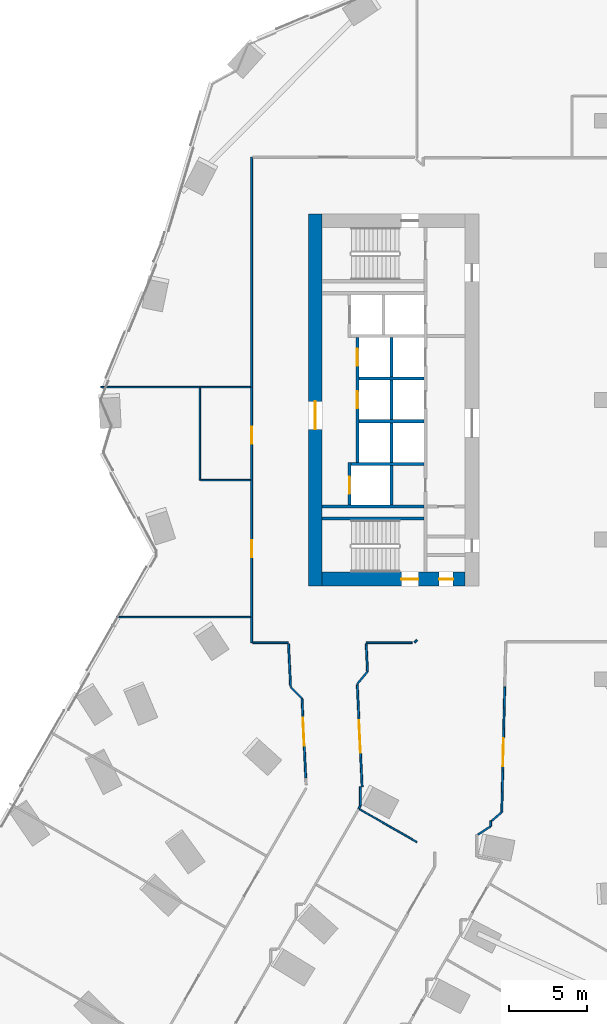
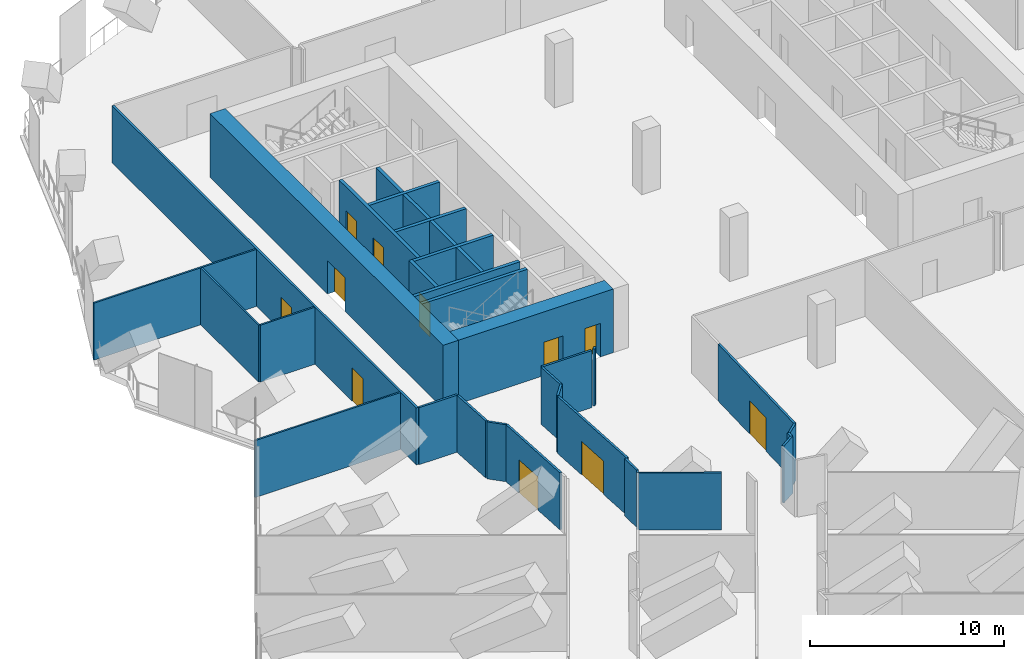
# One storey, part 28 of 37: 34 walls, 11 doors, 11 openings.
"""IFC4 building model written with IfcOpenShell, lengths in metres."""

from ifc_helpers import new_model, si_unit, direction, frame, frame_2d, origin, place, context, subcontext, project, spatial, rectangle, extrude, material, layer, layer_set, type_object, element, fill, save


model = new_model("IFC4")

# Units and contexts
model_context = context("Model", 3, precision=1e-05, world=origin(), true_north=direction((0.0, 1.0)))
body_context = subcontext(model_context, "Body", "Model", "MODEL_VIEW")
ifc_project = project(units=[si_unit("LENGTHUNIT", "METRE"), si_unit("AREAUNIT", "SQUARE_METRE"), si_unit("VOLUMEUNIT", "CUBIC_METRE"), si_unit("PLANEANGLEUNIT", "RADIAN"), si_unit("MASSUNIT", "GRAM", prefix="KILO")], contexts=[model_context])

# Site, building, storey
site_placement = place(None, origin())
site = spatial("IfcSite", under=ifc_project, at=site_placement, CompositionType="ELEMENT")
building_placement = place(site_placement, origin())
building = spatial("IfcBuilding", under=site, at=building_placement, Name="Orlundy Tower", CompositionType="ELEMENT")
storey_placement = place(building_placement, frame((0.0, 0.0, 119.699951171875)))
storey = spatial("IfcBuildingStorey", under=building, at=storey_placement, Name="L30", CompositionType="ELEMENT", Elevation=119.699951171875)

# Wall, openings, doors
ifc_material_1 = material(Name="Concrete C80/95", Category="concrete")
ifc_layer_1 = layer(ifc_material_1, 0.89990234375)
ifc_layer_set_1 = layer_set([ifc_layer_1], Name="CORE WALL 900 C80/95")
wall_type_1 = type_object("IfcWallType", Name="CORE WALL 900 C80/95", PredefinedType="SHEAR", material=ifc_layer_set_1)
wall_1_placement = place(storey_placement, frame((-18.10009765625, -11.550048828125, 0.0), z_axis=(0.0, 0.0, 1.0), x_axis=(1.0, 0.0, 0.0)))
wall_1 = element("IfcWall", 1, at=wall_1_placement, inside=storey, type_object=wall_type_1, Name="Core wall W-S L30", PredefinedType="SHEAR", context=body_context, shape_type="SweptSolid", body=[
    extrude(rectangle(XDim=9.2001953125, YDim=0.89990234375, at=frame_2d((4.60009765625, 0.0))), origin(), (0.0, 0.0, 1.0), 4.0),
])
opening_1_placement = place(wall_1_placement, frame((5.10009765625, 0.0, 0.0)))
opening_1 = element("IfcOpeningElement", 2, at=opening_1_placement, cuts=wall_1, Name="Opening 23013", PredefinedType="OPENING", context=body_context, shape_type="SweptSolid", body=[
    extrude(rectangle(XDim=1.10009765625, YDim=2.10009765625, at=frame_2d((0.550048828125, 1.050048828125))), frame((0.0, 0.4599609375, 0.0), z_axis=(0.0, -1.0, 0.0), x_axis=(1.0, 0.0, 0.0)), (0.0, 0.0, 1.0), 0.919921875),
])
opening_2_placement = place(wall_1_placement, frame((7.530029296875, 0.0, 0.0)))
opening_2 = element("IfcOpeningElement", 3, at=opening_2_placement, cuts=wall_1, Name="Opening 23015", PredefinedType="OPENING", context=body_context, shape_type="SweptSolid", body=[
    extrude(rectangle(XDim=0.89990234375, YDim=2.10009765625, at=frame_2d((0.449951171875, 1.050048828125))), frame((0.0, 0.4599609375, 0.0), z_axis=(0.0, -1.0, 0.0), x_axis=(1.0, 0.0, 0.0)), (0.0, 0.0, 1.0), 0.919921875),
])
ifc_material_2 = material(Name="Timber door set", Category="wood")
door_type_1 = type_object("IfcDoorType", Name="Room Door 900x2100", OperationType="SINGLE_SWING_LEFT", PredefinedType="DOOR", material=ifc_material_2)
door_1_placement = place(opening_2_placement, origin())
door_1 = element("IfcDoor", 4, at=door_1_placement, inside=storey, type_object=door_type_1, Name="Store door 23015", OperationType="SINGLE_SWING_RIGHT", OverallHeight=2.10009765625, OverallWidth=0.89990234375, PredefinedType="DOOR", context=body_context, shape_type="SweptSolid", body=[
    extrude(rectangle(XDim=0.89990234375, YDim=2.10009765625, at=frame_2d((0.449951171875, 1.050048828125))), frame((0.0, 0.02490234375, 0.0), z_axis=(0.0, -1.0, 0.0), x_axis=(1.0, 0.0, 0.0)), (0.0, 0.0, 1.0), 0.050048828125),
])
fill(opening_2, door_1)
ifc_material_3 = material(Name="Steel door set", Category="steel")
door_type_2 = type_object("IfcDoorType", Name="Stair Door 1100x2100", OperationType="SINGLE_SWING_LEFT", PredefinedType="DOOR", material=ifc_material_3)
door_2_placement = place(opening_1_placement, origin())
door_2 = element("IfcDoor", 5, at=door_2_placement, inside=storey, type_object=door_type_2, Name="Stair door 23013", OperationType="SINGLE_SWING_RIGHT", OverallHeight=2.10009765625, OverallWidth=1.10009765625, PredefinedType="DOOR", context=body_context, shape_type="SweptSolid", body=[
    extrude(rectangle(XDim=1.10009765625, YDim=2.10009765625, at=frame_2d((0.550048828125, 1.050048828125))), frame((0.0, 0.02490234375, 0.0), z_axis=(0.0, -1.0, 0.0), x_axis=(1.0, 0.0, 0.0)), (0.0, 0.0, 1.0), 0.050048828125),
])
fill(opening_1, door_2)

# Wall, opening, door
wall_2_placement = place(storey_placement, frame((-18.550048828125, -12.0, 0.0), z_axis=(0.0, 0.0, 1.0), x_axis=(0.0, 1.0, 0.0)))
wall_2 = element("IfcWall", 6, at=wall_2_placement, inside=storey, type_object=wall_type_1, Name="Core wall W-W L30", PredefinedType="SHEAR", context=body_context, shape_type="SweptSolid", body=[
    extrude(rectangle(XDim=24.0, YDim=0.89990234375, at=frame_2d((12.0, 0.0))), origin(), (0.0, 0.0, 1.0), 4.0),
])
opening_3_placement = place(wall_2_placement, frame((10.10009765625, 0.0, 0.0)))
opening_3 = element("IfcOpeningElement", 7, at=opening_3_placement, cuts=wall_2, Name="Opening 23010", PredefinedType="OPENING", context=body_context, shape_type="SweptSolid", body=[
    extrude(rectangle(XDim=1.800048828125, YDim=2.10009765625, at=frame_2d((0.89990234375, 1.050048828125))), frame((0.0, 0.4599609375, 0.0), z_axis=(0.0, -1.0, 0.0), x_axis=(1.0, 0.0, 0.0)), (0.0, 0.0, 1.0), 0.919921875),
])
ifc_material_4 = material(Name="Timber door set", Category="wood")
door_type_3 = type_object("IfcDoorType", Name="Lobby Door 1800x2100", OperationType="DOUBLE_DOOR_DOUBLE_SWING", PredefinedType="DOOR", material=ifc_material_4)
door_3_placement = place(opening_3_placement, origin())
door_3 = element("IfcDoor", 8, at=door_3_placement, inside=storey, type_object=door_type_3, Name="Lift lobby door 23010", OperationType="SINGLE_SWING_LEFT", OverallHeight=2.10009765625, OverallWidth=1.800048828125, PredefinedType="DOOR", context=body_context, shape_type="SweptSolid", body=[
    extrude(rectangle(XDim=1.800048828125, YDim=2.10009765625, at=frame_2d((0.89990234375, 1.050048828125))), frame((0.0, 0.02490234375, 0.0), z_axis=(0.0, -1.0, 0.0), x_axis=(1.0, 0.0, 0.0)), (0.0, 0.0, 1.0), 0.050048828125),
])
fill(opening_3, door_3)

# Walls
ifc_material_5 = material(Name="Gypsum board partition")
ifc_layer_2 = layer(ifc_material_5, 0.10009765625)
ifc_layer_set_2 = layer_set([ifc_layer_2], Name="Floor partition 100")
wall_type_2 = type_object("IfcWallType", Name="Floor partition 100", PredefinedType="PARTITIONING", material=ifc_layer_set_2)
wall_3_placement = place(storey_placement, frame((-15.69189453125, -26.383056640625, 0.0), z_axis=(0.0, 0.0, 1.0), x_axis=(0.867383356102, -0.497640546537, 0.0)))
element("IfcWall", 9, at=wall_3_placement, inside=storey, type_object=wall_type_2, Name="wall-int-L30-020", PredefinedType="PARTITIONING", context=body_context, shape_type="SweptSolid", body=[
    extrude(rectangle(XDim=4.270263671875, YDim=0.10009765625, at=frame_2d((2.13525390625, 0.0))), origin(), (0.0, 0.0, 1.0), 3.580078125),
])
wall_4_placement = place(storey_placement, frame((-31.3720703125, -14.0, 0.0), z_axis=(0.0, 0.0, 1.0), x_axis=(1.0, 0.0, 0.0)))
element("IfcWall", 10, at=wall_4_placement, inside=storey, type_object=wall_type_2, Name="wall-int-L30-056", PredefinedType="PARTITIONING", context=body_context, shape_type="SweptSolid", body=[
    extrude(rectangle(XDim=8.66015625, YDim=0.10009765625, at=frame_2d((4.330078125, 0.0))), origin(), (0.0, 0.0, 1.0), 3.580078125),
])
wall_5_placement = place(storey_placement, frame((-25.931884765625, -5.175048828125, 0.0), z_axis=(0.0, 0.0, 1.0), x_axis=(1.0, 0.0, 0.0)))
element("IfcWall", 11, at=wall_5_placement, inside=storey, type_object=wall_type_2, Name="wall-int-L30-063", PredefinedType="PARTITIONING", context=body_context, shape_type="SweptSolid", body=[
    extrude(rectangle(XDim=3.219970703125, YDim=0.10009765625, at=frame_2d((1.60986328125, 0.0))), origin(), (0.0, 0.0, 1.0), 3.580078125),
])
wall_6_placement = place(storey_placement, frame((-32.364990234375, 0.823974609375, 0.0), z_axis=(0.0, 0.0, 1.0), x_axis=(1.0, 0.0, 0.0)))
element("IfcWall", 12, at=wall_6_placement, inside=storey, type_object=wall_type_2, Name="wall-int-L30-065", PredefinedType="PARTITIONING", context=body_context, shape_type="SweptSolid", body=[
    extrude(rectangle(XDim=9.653076171875, YDim=0.10009765625, at=frame_2d((4.82666015625, 0.0))), origin(), (0.0, 0.0, 1.0), 3.580078125),
])
wall_7_placement = place(storey_placement, frame((-25.98193359375, -5.175048828125, 0.0), z_axis=(0.0, 0.0, 1.0), x_axis=(0.0, 1.0, 0.0)))
element("IfcWall", 13, at=wall_7_placement, inside=storey, type_object=wall_type_2, Name="wall-int-L30-140", PredefinedType="PARTITIONING", context=body_context, shape_type="SweptSolid", body=[
    extrude(rectangle(XDim=5.948974609375, YDim=0.10009765625, at=frame_2d((2.974609375, 0.0))), origin(), (0.0, 0.0, 1.0), 3.580078125),
])
ifc_material_6 = material(Name="Gypsum board partition, double layer")
ifc_layer_3 = layer(ifc_material_6, 0.125)
ifc_layer_set_3 = layer_set([ifc_layer_3], Name="Floor partition 125")
wall_type_3 = type_object("IfcWallType", Name="Floor partition 125", PredefinedType="PARTITIONING", material=ifc_layer_set_3)
wall_8_placement = place(storey_placement, frame((-20.27392578125, -15.712890625, 0.0), z_axis=(0.0, 0.0, 1.0), x_axis=(0.047383187707, -0.998876785956, 0.0)))
element("IfcWall", 14, at=wall_8_placement, inside=storey, type_object=wall_type_3, Name="wall-int-L30-003", PredefinedType="PARTITIONING", context=body_context, shape_type="SweptSolid", body=[
    extrude(rectangle(XDim=2.7412109375, YDim=0.125, at=frame_2d((1.37060546875, 0.0))), origin(), (0.0, 0.0, 1.0), 3.580078125),
])

# Wall, opening, door
wall_9_placement = place(storey_placement, frame((-19.160888671875, -24.39404296875, 0.0), z_axis=(0.0, 0.0, 1.0), x_axis=(-0.047513435417, 0.998870598954, 0.0)))
wall_9 = element("IfcWall", 15, at=wall_9_placement, inside=storey, type_object=wall_type_3, Name="wall-int-L30-004", PredefinedType="PARTITIONING", context=body_context, shape_type="SweptSolid", body=[
    extrude(rectangle(XDim=5.158935546875, YDim=0.125, at=frame_2d((2.57958984375, 0.0))), origin(), (0.0, 0.0, 1.0), 3.580078125),
])
opening_4_placement = place(wall_9_placement, frame((2.10009765625, 0.0, 0.0)))
opening_4 = element("IfcOpeningElement", 16, at=opening_4_placement, cuts=wall_9, Name="Opening 23121", PredefinedType="OPENING", context=body_context, shape_type="SweptSolid", body=[
    extrude(rectangle(XDim=1.800048828125, YDim=2.10009765625, at=frame_2d((0.89990234375, 1.050048828125))), frame((0.0, 0.072509765625, 0.0), z_axis=(0.0, -1.0, 0.0), x_axis=(1.0, 0.0, 0.0)), (0.0, 0.0, 1.0), 0.14501953125),
])
ifc_material_7 = material(Name="Timber door leaf", Category="wood")
door_type_4 = type_object("IfcDoorType", Name="Floor door double 1800 FD30S", OperationType="NOTDEFINED", PredefinedType="DOOR", material=ifc_material_7)
door_4_placement = place(opening_4_placement, origin())
door_4 = element("IfcDoor", 17, at=door_4_placement, inside=storey, type_object=door_type_4, Name="Door 23121", OperationType="DOUBLE_DOOR_SINGLE_SWING", OverallHeight=2.10009765625, OverallWidth=1.800048828125, PredefinedType="DOOR", context=body_context, shape_type="SweptSolid", body=[
    extrude(rectangle(XDim=1.800048828125, YDim=2.10009765625, at=frame_2d((0.89990234375, 1.050048828125))), frame((0.0, 0.02490234375, 0.0), z_axis=(0.0, -1.0, 0.0), x_axis=(1.0, 0.0, 0.0)), (0.0, 0.0, 1.0), 0.050048828125),
])
fill(opening_4, door_4)

wall_10_placement = place(storey_placement, frame((-15.842041015625, -18.3720703125, 0.0), z_axis=(0.0, 0.0, 1.0), x_axis=(0.047473375222, -0.998872503699, 0.0)))
wall_10 = element("IfcWall", 18, at=wall_10_placement, inside=storey, type_object=wall_type_3, Name="wall-int-L30-005", PredefinedType="PARTITIONING", context=body_context, shape_type="SweptSolid", body=[
    extrude(rectangle(XDim=6.572265625, YDim=0.125, at=frame_2d((3.2861328125, 0.0))), origin(), (0.0, 0.0, 1.0), 3.580078125),
])
opening_5_placement = place(wall_10_placement, frame((2.28759765625, 0.0, 0.0)))
opening_5 = element("IfcOpeningElement", 19, at=opening_5_placement, cuts=wall_10, Name="Opening 23122", PredefinedType="OPENING", context=body_context, shape_type="SweptSolid", body=[
    extrude(rectangle(XDim=2.10009765625, YDim=2.10009765625, at=frame_2d((1.050048828125, 1.050048828125))), frame((0.0, 0.072509765625, 0.0), z_axis=(0.0, -1.0, 0.0), x_axis=(1.0, 0.0, 0.0)), (0.0, 0.0, 1.0), 0.14501953125),
])
ifc_material_8 = material(Name="Timber door leaf", Category="wood")
door_type_5 = type_object("IfcDoorType", Name="Floor door double 2100 FD30S", OperationType="NOTDEFINED", PredefinedType="DOOR", material=ifc_material_8)
door_5_placement = place(opening_5_placement, origin())
door_5 = element("IfcDoor", 20, at=door_5_placement, inside=storey, type_object=door_type_5, Name="Door 23122", OperationType="DOUBLE_DOOR_SINGLE_SWING", OverallHeight=2.10009765625, OverallWidth=2.10009765625, PredefinedType="DOOR", context=body_context, shape_type="SweptSolid", body=[
    extrude(rectangle(XDim=2.10009765625, YDim=2.10009765625, at=frame_2d((1.050048828125, 1.050048828125))), frame((0.0, 0.02490234375, 0.0), z_axis=(0.0, -1.0, 0.0), x_axis=(1.0, 0.0, 0.0)), (0.0, 0.0, 1.0), 0.050048828125),
])
fill(opening_5, door_5)

# Walls
wall_11_placement = place(storey_placement, frame((-15.26806640625, -15.712890625, 0.0), z_axis=(0.0, 0.0, 1.0), x_axis=(0.047770896438, -0.998858319009, 0.0)))
element("IfcWall", 21, at=wall_11_placement, inside=storey, type_object=wall_type_3, Name="wall-int-L30-006", PredefinedType="PARTITIONING", context=body_context, shape_type="SweptSolid", body=[
    extrude(rectangle(XDim=1.803955078125, YDim=0.125, at=frame_2d((0.90185546875, 0.0))), origin(), (0.0, 0.0, 1.0), 3.580078125),
])
wall_12_placement = place(storey_placement, frame((-7.178955078125, -27.135986328125, 0.0), z_axis=(0.0, 0.0, 1.0), x_axis=(0.758010873783, 0.65224191465, 0.0)))
element("IfcWall", 22, at=wall_12_placement, inside=storey, type_object=wall_type_3, Name="wall-int-L30-035", PredefinedType="PARTITIONING", context=body_context, shape_type="SweptSolid", body=[
    extrude(rectangle(XDim=0.858642578125, YDim=0.125, at=frame_2d((0.42919921875, 0.0))), origin(), (0.0, 0.0, 1.0), 3.580078125),
])
wall_13_placement = place(storey_placement, frame((-8.069091796875, -28.02197265625, 0.0), z_axis=(0.0, 0.0, 1.0), x_axis=(0.839550235138, 0.543282065486, 0.0)))
element("IfcWall", 23, at=wall_13_placement, inside=storey, type_object=wall_type_3, Name="wall-int-L30-050", PredefinedType="PARTITIONING", context=body_context, shape_type="SweptSolid", body=[
    extrude(rectangle(XDim=0.986328125, YDim=0.125, at=frame_2d((0.4931640625, 0.0))), origin(), (0.0, 0.0, 1.0), 3.580078125),
])
wall_14_placement = place(storey_placement, frame((-22.5869140625, -15.65087890625, 0.0), z_axis=(0.0, 0.0, 1.0), x_axis=(1.0, 0.0, 0.0)))
element("IfcWall", 24, at=wall_14_placement, inside=storey, type_object=wall_type_3, Name="wall-int-L30-052", PredefinedType="PARTITIONING", context=body_context, shape_type="SweptSolid", body=[
    extrude(rectangle(XDim=2.309814453125, YDim=0.125, at=frame_2d((1.15478515625, 0.0))), origin(), (0.0, 0.0, 1.0), 3.580078125),
])
wall_15_placement = place(storey_placement, frame((-15.27099609375, -15.65087890625, 0.0), z_axis=(0.0, 0.0, 1.0), x_axis=(1.0, 0.0, 0.0)))
element("IfcWall", 25, at=wall_15_placement, inside=storey, type_object=wall_type_3, Name="wall-int-L30-053", PredefinedType="PARTITIONING", context=body_context, shape_type="SweptSolid", body=[
    extrude(rectangle(XDim=2.9599609375, YDim=0.125, at=frame_2d((1.47998046875, 0.0))), origin(), (0.0, 0.0, 1.0), 3.580078125),
])
wall_16_placement = place(storey_placement, frame((-20.139892578125, -18.513916015625, 0.0), z_axis=(0.0, 0.0, 1.0), x_axis=(0.710407658982, -0.703790421972, 0.0)))
element("IfcWall", 26, at=wall_16_placement, inside=storey, type_object=wall_type_3, Name="wall-int-L30-073", PredefinedType="PARTITIONING", context=body_context, shape_type="SweptSolid", body=[
    extrude(rectangle(XDim=1.032958984375, YDim=0.125, at=frame_2d((0.5166015625, 0.0))), origin(), (0.0, 0.0, 1.0), 3.580078125),
])
wall_17_placement = place(storey_placement, frame((-15.844970703125, -18.31005859375, 0.0), z_axis=(0.0, 0.0, 1.0), x_axis=(0.640439494896, 0.768008628452, 0.0)))
element("IfcWall", 27, at=wall_17_placement, inside=storey, type_object=wall_type_3, Name="wall-int-L30-074", PredefinedType="PARTITIONING", context=body_context, shape_type="SweptSolid", body=[
    extrude(rectangle(XDim=1.035400390625, YDim=0.125, at=frame_2d((0.517578125, 0.0))), origin(), (0.0, 0.0, 1.0), 3.580078125),
])
wall_18_placement = place(storey_placement, frame((-12.153076171875, -15.631103515625, 0.0), z_axis=(0.0, 0.0, 1.0), x_axis=(0.707106781187, 0.707106781187, 0.0)))
element("IfcWall", 28, at=wall_18_placement, inside=storey, type_object=wall_type_3, Name="wall-int-L30-075", PredefinedType="PARTITIONING", context=body_context, shape_type="SweptSolid", body=[
    extrude(rectangle(XDim=0.216552734375, YDim=0.125, at=frame_2d((0.1083984375, 0.0))), origin(), (0.0, 0.0, 1.0), 3.580078125),
])
wall_19_placement = place(storey_placement, frame((-15.74609375, -26.35205078125, 0.0), z_axis=(0.0, 0.0, 1.0), x_axis=(0.495888197745, 0.868386374454, 0.0)))
element("IfcWall", 29, at=wall_19_placement, inside=storey, type_object=wall_type_3, Name="wall-int-L30-092", PredefinedType="PARTITIONING", context=body_context, shape_type="SweptSolid", body=[
    extrude(rectangle(XDim=0.209716796875, YDim=0.125, at=frame_2d((0.10498046875, 0.0))), origin(), (0.0, 0.0, 1.0), 3.580078125),
])

# Wall, opening, door
wall_20_placement = place(storey_placement, frame((-6.3349609375, -18.4580078125, 0.0), z_axis=(0.0, 0.0, 1.0), x_axis=(-0.02378203, -0.999717167527, 0.0)))
wall_20 = element("IfcWall", 30, at=wall_20_placement, inside=storey, type_object=wall_type_3, Name="wall-int-L30-107", PredefinedType="PARTITIONING", context=body_context, shape_type="SweptSolid", body=[
    extrude(rectangle(XDim=8.1201171875, YDim=0.125, at=frame_2d((4.06005859375, 0.0))), origin(), (0.0, 0.0, 1.0), 3.580078125),
])
opening_6_placement = place(wall_20_placement, frame((3.35009765625, 0.0, 0.0)))
opening_6 = element("IfcOpeningElement", 31, at=opening_6_placement, cuts=wall_20, Name="Opening 23123", PredefinedType="OPENING", context=body_context, shape_type="SweptSolid", body=[
    extrude(rectangle(XDim=1.800048828125, YDim=2.10009765625, at=frame_2d((0.89990234375, 1.050048828125))), frame((0.0, 0.072509765625, 0.0), z_axis=(0.0, -1.0, 0.0), x_axis=(1.0, 0.0, 0.0)), (0.0, 0.0, 1.0), 0.14501953125),
])
door_6_placement = place(opening_6_placement, origin())
door_6 = element("IfcDoor", 32, at=door_6_placement, inside=storey, type_object=door_type_4, Name="Door 23123", OperationType="DOUBLE_DOOR_SINGLE_SWING", OverallHeight=2.10009765625, OverallWidth=1.800048828125, PredefinedType="DOOR", context=body_context, shape_type="SweptSolid", body=[
    extrude(rectangle(XDim=1.800048828125, YDim=2.10009765625, at=frame_2d((0.89990234375, 1.050048828125))), frame((0.0, 0.02490234375, 0.0), z_axis=(0.0, -1.0, 0.0), x_axis=(1.0, 0.0, 0.0)), (0.0, 0.0, 1.0), 0.050048828125),
])
fill(opening_6, door_6)

# Walls
wall_21_placement = place(storey_placement, frame((-7.240966796875, -27.486083984375, 0.0), z_axis=(0.0, 0.0, 1.0), x_axis=(0.0, 1.0, 0.0)))
element("IfcWall", 33, at=wall_21_placement, inside=storey, type_object=wall_type_3, Name="wall-int-L30-126", PredefinedType="PARTITIONING", context=body_context, shape_type="SweptSolid", body=[
    extrude(rectangle(XDim=0.35205078125, YDim=0.125, at=frame_2d((0.176025390625, 0.0))), origin(), (0.0, 0.0, 1.0), 3.580078125),
])
wall_22_placement = place(storey_placement, frame((-15.64111328125, -26.169921875, 0.0), z_axis=(0.0, 0.0, 1.0), x_axis=(0.0, 1.0, 0.0)))
element("IfcWall", 34, at=wall_22_placement, inside=storey, type_object=wall_type_3, Name="wall-int-L30-133", PredefinedType="PARTITIONING", context=body_context, shape_type="SweptSolid", body=[
    extrude(rectangle(XDim=1.23291015625, YDim=0.125, at=frame_2d((0.616455078125, 0.0))), origin(), (0.0, 0.0, 1.0), 3.580078125),
])

# Wall, openings, doors
wall_23_placement = place(storey_placement, frame((-22.64990234375, -15.65087890625, 0.0), z_axis=(0.0, 0.0, 1.0), x_axis=(0.0, 1.0, 0.0)))
wall_23 = element("IfcWall", 35, at=wall_23_placement, inside=storey, type_object=wall_type_3, Name="wall-int-L30-138", PredefinedType="PARTITIONING", context=body_context, shape_type="SweptSolid", body=[
    extrude(rectangle(XDim=31.3017578125, YDim=0.125, at=frame_2d((15.65087890625, 0.0))), origin(), (0.0, 0.0, 1.0), 3.580078125),
])
opening_7_placement = place(wall_23_placement, frame((5.5009765625, 0.0, 0.0)))
opening_7 = element("IfcOpeningElement", 36, at=opening_7_placement, cuts=wall_23, Name="Opening 23120", PredefinedType="OPENING", context=body_context, shape_type="SweptSolid", body=[
    extrude(rectangle(XDim=1.10009765625, YDim=2.10009765625, at=frame_2d((0.550048828125, 1.050048828125))), frame((0.0, 0.072509765625, 0.0), z_axis=(0.0, -1.0, 0.0), x_axis=(1.0, 0.0, 0.0)), (0.0, 0.0, 1.0), 0.14501953125),
])
opening_8_placement = place(wall_23_placement, frame((12.825927734375, 0.0, 0.0)))
opening_8 = element("IfcOpeningElement", 37, at=opening_8_placement, cuts=wall_23, Name="Opening 23133", PredefinedType="OPENING", context=body_context, shape_type="SweptSolid", body=[
    extrude(rectangle(XDim=1.10009765625, YDim=2.10009765625, at=frame_2d((0.550048828125, 1.050048828125))), frame((0.0, 0.072509765625, 0.0), z_axis=(0.0, -1.0, 0.0), x_axis=(1.0, 0.0, 0.0)), (0.0, 0.0, 1.0), 0.14501953125),
])
ifc_material_9 = material(Name="Timber door leaf", Category="wood")
door_type_6 = type_object("IfcDoorType", Name="Floor door xwide 1100 FD30S", OperationType="NOTDEFINED", PredefinedType="DOOR", material=ifc_material_9)
door_7_placement = place(opening_7_placement, origin())
door_7 = element("IfcDoor", 38, at=door_7_placement, inside=storey, type_object=door_type_6, Name="Door 23120", OperationType="SINGLE_SWING_LEFT", OverallHeight=2.10009765625, OverallWidth=1.10009765625, PredefinedType="DOOR", context=body_context, shape_type="SweptSolid", body=[
    extrude(rectangle(XDim=1.10009765625, YDim=2.10009765625, at=frame_2d((0.550048828125, 1.050048828125))), frame((0.0, 0.02490234375, 0.0), z_axis=(0.0, -1.0, 0.0), x_axis=(1.0, 0.0, 0.0)), (0.0, 0.0, 1.0), 0.050048828125),
])
fill(opening_7, door_7)
door_8_placement = place(opening_8_placement, origin())
door_8 = element("IfcDoor", 39, at=door_8_placement, inside=storey, type_object=door_type_6, Name="Door 23133", OperationType="SINGLE_SWING_LEFT", OverallHeight=2.10009765625, OverallWidth=1.10009765625, PredefinedType="DOOR", context=body_context, shape_type="SweptSolid", body=[
    extrude(rectangle(XDim=1.10009765625, YDim=2.10009765625, at=frame_2d((0.550048828125, 1.050048828125))), frame((0.0, 0.02490234375, 0.0), z_axis=(0.0, -1.0, 0.0), x_axis=(1.0, 0.0, 0.0)), (0.0, 0.0, 1.0), 0.050048828125),
])
fill(opening_8, door_8)

# Walls
ifc_material_10 = material(Name="Concrete C40/50", Category="concrete")
ifc_layer_4 = layer(ifc_material_10, 0.199951171875)
ifc_layer_set_4 = layer_set([ifc_layer_4], Name="Load-bearing Shaft Wall 200")
wall_type_4 = type_object("IfcWallType", Name="Load-bearing Shaft Wall 200", PredefinedType="SOLIDWALL", material=ifc_layer_set_4)
wall_24_placement = place(storey_placement, frame((-11.5400390625, -7.64990234375, 0.0), z_axis=(0.0, 0.0, 1.0), x_axis=(-1.0, 0.0, 0.0)))
element("IfcWall", 40, at=wall_24_placement, inside=storey, type_object=wall_type_4, Name="Shaft wall W23-stair-side-s", PredefinedType="SOLIDWALL", context=body_context, shape_type="SweptSolid", body=[
    extrude(rectangle(XDim=6.56005859375, YDim=0.199951171875, at=frame_2d((3.280029296875, 0.0))), origin(), (0.0, 0.0, 1.0), 3.590087890625),
])
ifc_material_11 = material(Name="Fire-rated blockwork shaft wall", Category="masonry")
ifc_layer_5 = layer(ifc_material_11, 0.199951171875)
ifc_layer_set_5 = layer_set([ifc_layer_5], Name="Shaft Wall 200")
wall_type_5 = type_object("IfcWallType", Name="Shaft Wall 200", PredefinedType="SOLIDWALL", material=ifc_layer_set_5)
wall_25_placement = place(storey_placement, frame((-11.5400390625, -6.875, 0.0), z_axis=(0.0, 0.0, 1.0), x_axis=(-1.0, 0.0, 0.0)))
element("IfcWall", 41, at=wall_25_placement, inside=storey, type_object=wall_type_5, Name="Shaft wall W23-zone-s", PredefinedType="SOLIDWALL", context=body_context, shape_type="SweptSolid", body=[
    extrude(rectangle(XDim=6.56005859375, YDim=0.199951171875, at=frame_2d((3.280029296875, 0.0))), origin(), (0.0, 0.0, 1.0), 3.590087890625),
])
wall_26_placement = place(storey_placement, frame((-11.5400390625, -4.125, 0.0), z_axis=(0.0, 0.0, 1.0), x_axis=(-1.0, 0.0, 0.0)))
element("IfcWall", 42, at=wall_26_placement, inside=storey, type_object=wall_type_5, Name="Shaft wall W23-cross-4.125", PredefinedType="SOLIDWALL", context=body_context, shape_type="SweptSolid", body=[
    extrude(rectangle(XDim=4.699951171875, YDim=0.199951171875, at=frame_2d((2.35009765625, 0.0))), origin(), (0.0, 0.0, 1.0), 3.590087890625),
])
for number, where, z_axis, x_axis, name in (
    (43, (-11.5400390625, -1.375, 0.0), (0.0, 0.0, 1.0), (-1.0, 0.0, 0.0), "Shaft wall W23-cross-1.375"),
    (44, (-11.5400390625, 1.375, 0.0), (0.0, 0.0, 1.0), (-1.0, 0.0, 0.0), "Shaft wall W23-cross+1.375"),
):
    element("IfcWall", number, at=place(storey_placement, frame(where, z_axis=z_axis, x_axis=x_axis)), inside=storey, type_object=wall_type_5, Name=name, PredefinedType="SOLIDWALL", context=body_context, shape_type="SweptSolid", body=[
        extrude(rectangle(XDim=4.199951171875, YDim=0.199951171875, at=frame_2d((2.10009765625, 0.0))), origin(), (0.0, 0.0, 1.0), 3.590087890625),
    ])
for number, where, z_axis, x_axis, name in (
    (45, (-13.639892578125, -6.77490234375, 0.0), (0.0, 0.0, 1.0), (0.0, 1.0, 0.0), "Shaft wall W23-mid-a"),
    (46, (-13.639892578125, -4.02490234375, 0.0), (0.0, 0.0, 1.0), (0.0, 1.0, 0.0), "Shaft wall W23-mid-a.1"),
    (47, (-13.639892578125, -1.27490234375, 0.0), (0.0, 0.0, 1.0), (0.0, 1.0, 0.0), "Shaft wall W23-mid-a.2"),
    (48, (-13.639892578125, 1.47509765625, 0.0), (0.0, 0.0, 1.0), (0.0, 1.0, 0.0), "Shaft wall W23-mid-a.3"),
):
    element("IfcWall", number, at=place(storey_placement, frame(where, z_axis=z_axis, x_axis=x_axis)), inside=storey, type_object=wall_type_5, Name=name, PredefinedType="SOLIDWALL", context=body_context, shape_type="SweptSolid", body=[
        extrude(rectangle(XDim=2.5498046875, YDim=0.199951171875, at=frame_2d((1.27490234375, 0.0))), origin(), (0.0, 0.0, 1.0), 3.590087890625),
    ])

# Wall, opening, door
wall_27_placement = place(storey_placement, frame((-16.340087890625, -6.77490234375, 0.0), z_axis=(0.0, 0.0, 1.0), x_axis=(0.0, 1.0, 0.0)))
wall_27 = element("IfcWall", 49, at=wall_27_placement, inside=storey, type_object=wall_type_5, Name="Shaft wall W23-front-o-a", PredefinedType="SOLIDWALL", context=body_context, shape_type="SweptSolid", body=[
    extrude(rectangle(XDim=2.75, YDim=0.199951171875, at=frame_2d((1.375, 0.0))), origin(), (0.0, 0.0, 1.0), 3.590087890625),
])
opening_9_placement = place(wall_27_placement, frame((0.72509765625, 0.0, 0.0)))
opening_9 = element("IfcOpeningElement", 50, at=opening_9_placement, cuts=wall_27, Name="Opening 23001", PredefinedType="OPENING", context=body_context, shape_type="SweptSolid", body=[
    extrude(rectangle(XDim=1.10009765625, YDim=2.10009765625, at=frame_2d((0.550048828125, 1.050048828125))), frame((0.0, 0.110107421875, 0.0), z_axis=(0.0, -1.0, 0.0), x_axis=(1.0, 0.0, 0.0)), (0.0, 0.0, 1.0), 0.22021484375),
])
ifc_material_12 = material(Name="Steel door set", Category="steel")
door_type_7 = type_object("IfcDoorType", Name="Landing Door 1100x2100", OperationType="DOUBLE_DOOR_SLIDING", PredefinedType="DOOR", material=ifc_material_12)
door_9_placement = place(opening_9_placement, origin())
door_9 = element("IfcDoor", 51, at=door_9_placement, inside=storey, type_object=door_type_7, Name="Lift landing door LV-01 23001", OperationType="DOUBLE_DOOR_SLIDING", OverallHeight=2.10009765625, OverallWidth=1.10009765625, PredefinedType="DOOR", context=body_context, shape_type="SweptSolid", body=[
    extrude(rectangle(XDim=1.10009765625, YDim=2.10009765625, at=frame_2d((0.550048828125, 1.050048828125))), frame((0.0, 0.02490234375, 0.0), z_axis=(0.0, -1.0, 0.0), x_axis=(1.0, 0.0, 0.0)), (0.0, 0.0, 1.0), 0.050048828125),
])
fill(opening_9, door_9)

# Wall, openings, doors
wall_28_placement = place(storey_placement, frame((-15.840087890625, -4.02490234375, 0.0), z_axis=(0.0, 0.0, 1.0), x_axis=(0.0, 1.0, 0.0)))
wall_28 = element("IfcWall", 52, at=wall_28_placement, inside=storey, type_object=wall_type_5, Name="Shaft wall W23-front-o-b", PredefinedType="SOLIDWALL", context=body_context, shape_type="SweptSolid", body=[
    extrude(rectangle(XDim=8.0498046875, YDim=0.199951171875, at=frame_2d((4.02490234375, 0.0))), origin(), (0.0, 0.0, 1.0), 3.590087890625),
])
opening_10_placement = place(wall_28_placement, frame((3.47509765625, 0.0, 0.0)))
opening_10 = element("IfcOpeningElement", 53, at=opening_10_placement, cuts=wall_28, Name="Opening 23003", PredefinedType="OPENING", context=body_context, shape_type="SweptSolid", body=[
    extrude(rectangle(XDim=1.10009765625, YDim=2.10009765625, at=frame_2d((0.550048828125, 1.050048828125))), frame((0.0, 0.110107421875, 0.0), z_axis=(0.0, -1.0, 0.0), x_axis=(1.0, 0.0, 0.0)), (0.0, 0.0, 1.0), 0.22021484375),
])
opening_11_placement = place(wall_28_placement, frame((6.22509765625, 0.0, 0.0)))
opening_11 = element("IfcOpeningElement", 54, at=opening_11_placement, cuts=wall_28, Name="Opening 23005", PredefinedType="OPENING", context=body_context, shape_type="SweptSolid", body=[
    extrude(rectangle(XDim=1.10009765625, YDim=2.10009765625, at=frame_2d((0.550048828125, 1.050048828125))), frame((0.0, 0.110107421875, 0.0), z_axis=(0.0, -1.0, 0.0), x_axis=(1.0, 0.0, 0.0)), (0.0, 0.0, 1.0), 0.22021484375),
])
door_10_placement = place(opening_10_placement, origin())
door_10 = element("IfcDoor", 55, at=door_10_placement, inside=storey, type_object=door_type_7, Name="Lift landing door LP-01 23003", OperationType="DOUBLE_DOOR_SLIDING", OverallHeight=2.10009765625, OverallWidth=1.10009765625, PredefinedType="DOOR", context=body_context, shape_type="SweptSolid", body=[
    extrude(rectangle(XDim=1.10009765625, YDim=2.10009765625, at=frame_2d((0.550048828125, 1.050048828125))), frame((0.0, 0.02490234375, 0.0), z_axis=(0.0, -1.0, 0.0), x_axis=(1.0, 0.0, 0.0)), (0.0, 0.0, 1.0), 0.050048828125),
])
fill(opening_10, door_10)
door_11_placement = place(opening_11_placement, origin())
door_11 = element("IfcDoor", 56, at=door_11_placement, inside=storey, type_object=door_type_7, Name="Lift landing door LP-03 23005", OperationType="DOUBLE_DOOR_SLIDING", OverallHeight=2.10009765625, OverallWidth=1.10009765625, PredefinedType="DOOR", context=body_context, shape_type="SweptSolid", body=[
    extrude(rectangle(XDim=1.10009765625, YDim=2.10009765625, at=frame_2d((0.550048828125, 1.050048828125))), frame((0.0, 0.02490234375, 0.0), z_axis=(0.0, -1.0, 0.0), x_axis=(1.0, 0.0, 0.0)), (0.0, 0.0, 1.0), 0.050048828125),
])
fill(opening_11, door_11)

save(model, "model.ifc")
